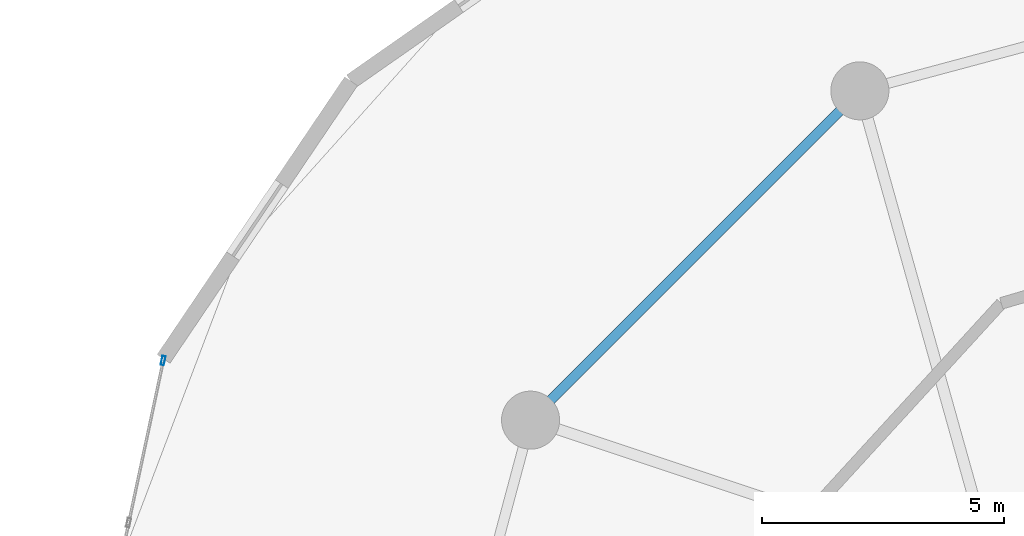
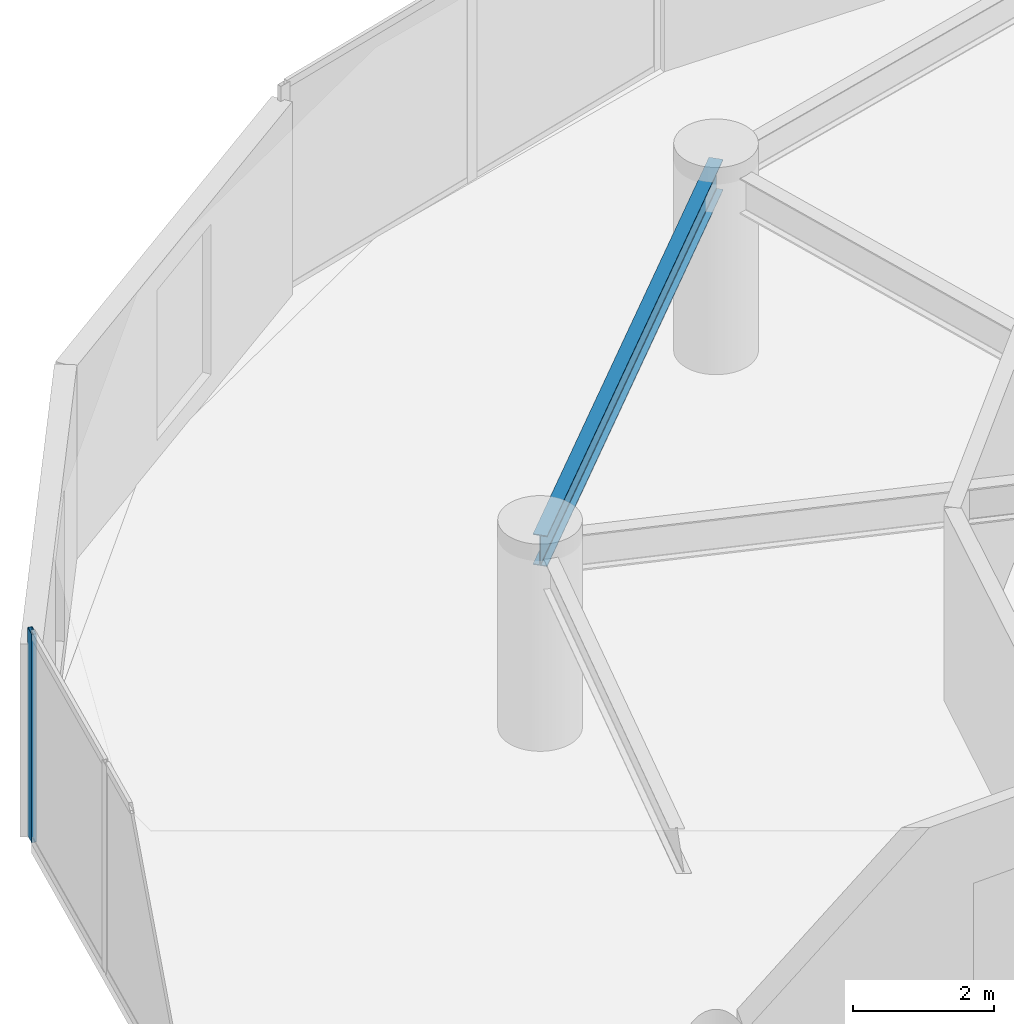
# One storey, part 13 of 24: 1 beam, 1 member, 1 element without a shape of its own.
"""IFC4 building model written with IfcOpenShell, lengths in metres."""

from ifc_helpers import new_model, si_unit, direction, frame, origin, origin_2d, place, context, subcontext, project, spatial, hollow_rectangle, i_section, extrude, source, transform, mapped, material, layer, layer_set, material_profile, profile_set, type_object, element, aggregate, save


model = new_model("IFC4")

# Units and contexts
model_context = context("Model", 3, precision=1e-05, world=origin(), true_north=direction((0.0, 1.0)))
body_context = subcontext(model_context, "Body", "Model", "MODEL_VIEW")
ifc_project = project(units=[si_unit("LENGTHUNIT", "METRE"), si_unit("AREAUNIT", "SQUARE_METRE"), si_unit("VOLUMEUNIT", "CUBIC_METRE"), si_unit("PLANEANGLEUNIT", "RADIAN"), si_unit("MASSUNIT", "GRAM", prefix="KILO")], contexts=[model_context])

# Site, building, storey
site_placement = place(None, origin())
site = spatial("IfcSite", under=ifc_project, at=site_placement, CompositionType="ELEMENT")
building_placement = place(site_placement, origin())
building = spatial("IfcBuilding", under=site, at=building_placement, Name="Solvirekh Grand Hotel", CompositionType="ELEMENT")
storey_placement = place(building_placement, frame((0.0, 0.0, 82.39990234375)))
storey = spatial("IfcBuildingStorey", under=building, at=storey_placement, Name="L20", CompositionType="ELEMENT", Elevation=82.39990234375)

# Beam
ifc_material_1 = material(Name="Steel S355", Category="steel")
ifc_material_profile_1 = material_profile(ifc_material_1, i_section(OverallWidth=0.208984375, OverallDepth=0.532958984375, WebThickness=0.010009765625, FlangeThickness=0.014892578125, FilletRadius=0.013916015625, at=origin_2d()), Name="W530X92")
ifc_profile_set_1 = profile_set([ifc_material_profile_1], Name="Steel S355")
beam_type = type_object("IfcBeamType", Name="Spandrel_Ring_W530", PredefinedType="SPANDREL", material=ifc_profile_set_1)
beam_placement = place(storey_placement, frame((-9.300048828125, 16.10791015625, 3.07421875), z_axis=(-0.707106781187, -0.707106781187, 0.0), x_axis=(0.707106781187, -0.707106781187, 0.0)))
element("IfcBeam", 1, at=beam_placement, inside=storey, type_object=beam_type, Name="L20 perimeter spandrel beam 5", PredefinedType="SPANDREL", context=body_context, shape_type="SweptSolid", body=[
    extrude(i_section(OverallWidth=0.208984375, OverallDepth=0.532958984375, WebThickness=0.010009765625, FlangeThickness=0.014892578125, FilletRadius=0.013916015625, at=origin_2d()), origin(), (0.0, 0.0, 1.0), 9.627685546875),
])

# Curtain wall, member
ifc_material_2 = material(Name="Anodized Bronze Aluminium 6063-T6", Category="aluminium")
ifc_layer = layer(ifc_material_2, 0.18994140625)
ifc_layer_set = layer_set([ifc_layer], Name="Anodized Bronze Aluminium 6063-T6")
curtain_wall_type = type_object("IfcCurtainWallType", Name="CW_Sys2_LowZoneFlushBronzeCW", PredefinedType="NOTDEFINED", material=ifc_layer_set)
curtain_wall_placement = place(storey_placement, origin())
curtain_wall = element("IfcCurtainWall", 2, at=curtain_wall_placement, inside=storey, type_object=curtain_wall_type, Name="L20 unitised bronze-glass curtain wall CW-L20-C11", PredefinedType="NOTDEFINED")
ifc_material_profile_2 = material_profile(ifc_material_2, hollow_rectangle(XDim=0.070068359375, YDim=0.18994140625, WallThickness=0.0048828125, at=origin_2d()), Name="ALU RHS 190X70X5")
ifc_profile_set_2 = profile_set([ifc_material_profile_2], Name="Anodized Bronze Aluminium 6063-T6")
member_type = type_object("IfcMemberType", Name="CWMullion_Sys2", PredefinedType="MULLION", material=ifc_profile_set_2)
shared_shape = source(origin(), body_context, "Body", "SweptSolid", [
    extrude(hollow_rectangle(XDim=0.070068359375, YDim=0.18994140625, WallThickness=0.0048828125, at=origin_2d()), origin(), (0.0, 0.0, 1.0), 3.60009765625),
])
member_placement = place(storey_placement, frame((-23.703369140625, 10.53271484375, 0.0), z_axis=(0.0, 0.0, 1.0), x_axis=(0.97799008642, -0.208651362001, 0.0)))
member = element("IfcMember", 3, at=member_placement, type_object=member_type, Name="U02 mullion 1", PredefinedType="MULLION", context=body_context, shape_type="MappedRepresentation", body=[
    mapped(shared_shape, transform((0.0, 0.0, 0.0), x_axis=(1.0, 0.0, 0.0), y_axis=(0.0, 1.0, 0.0), z_axis=(0.0, 0.0, 1.0), scale=1.0)),
])
aggregate(curtain_wall, [member])

save(model, "model.ifc")
